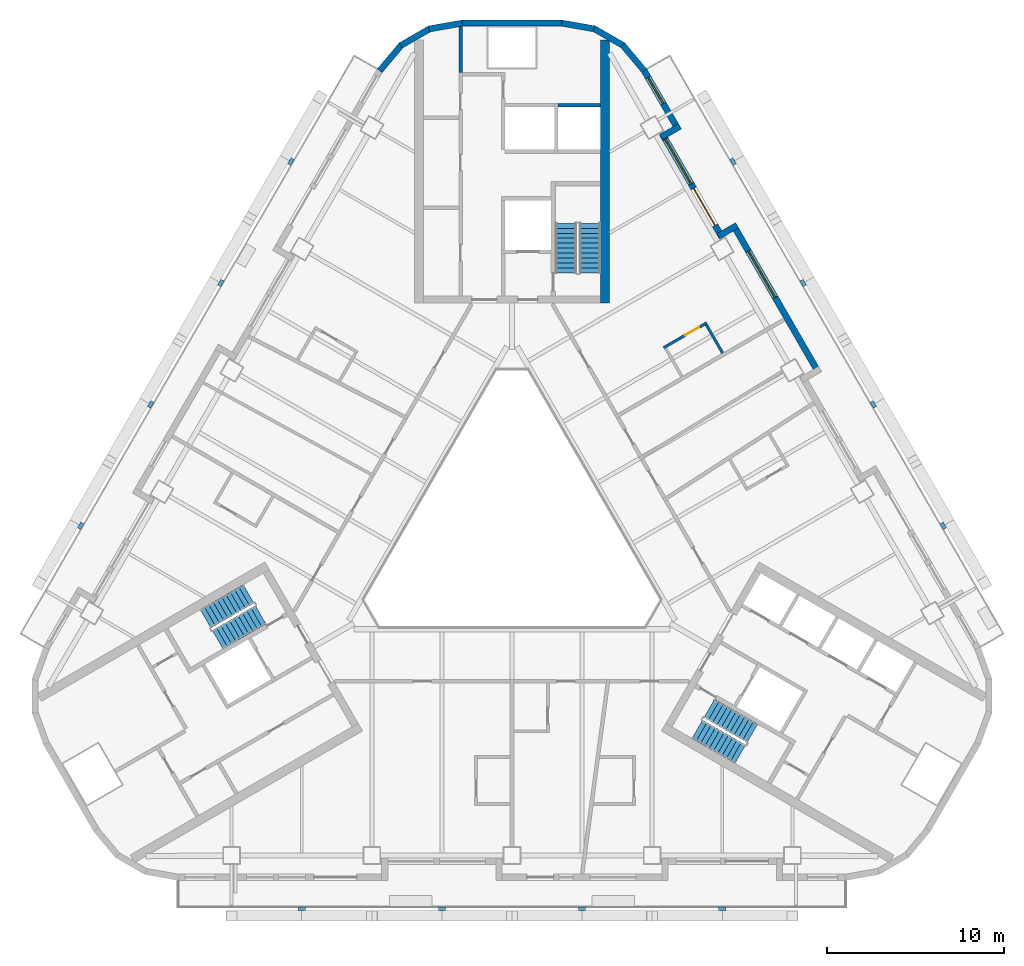
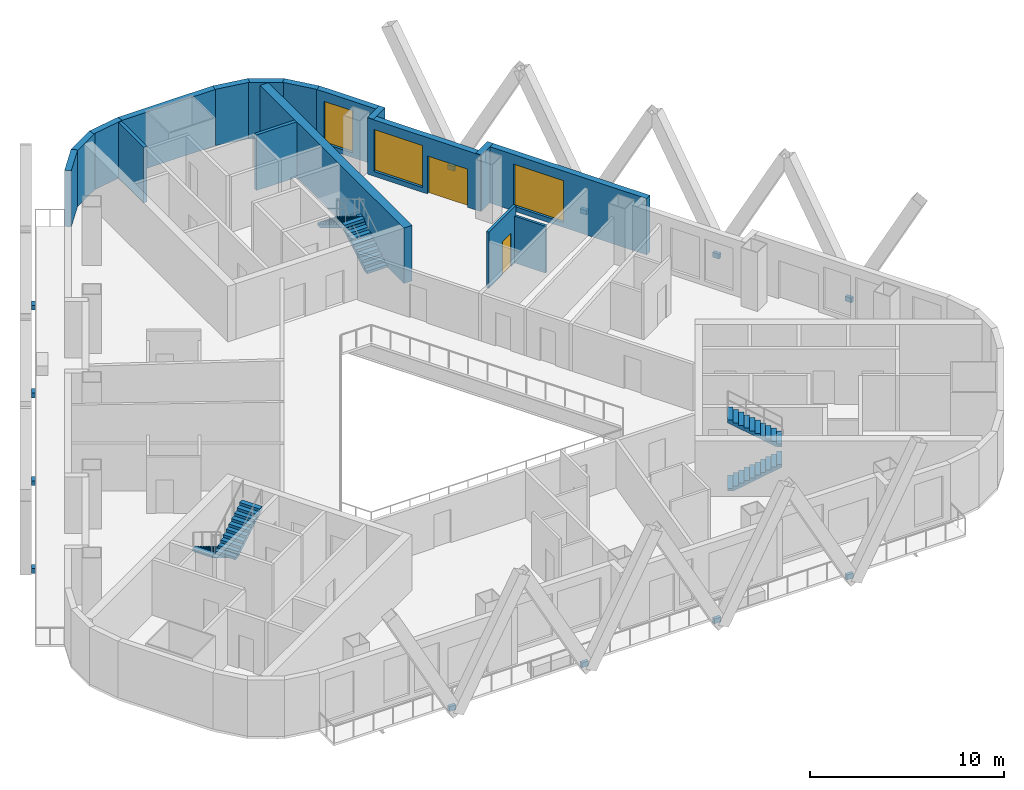
# One storey, part 7 of 13: 17 walls, 12 discrete accessories, 6 stair flights, 3 windows, 2 doors, 5 openings, 3 elements without a shape of their own.
"""IFC4 building model written with IfcOpenShell, lengths in metres."""

from ifc_helpers import new_model, si_unit, direction, frame, frame_2d, origin, origin_2d, place, context, subcontext, project, spatial, polyline, rectangle, outline, extrude, material, layer, layer_set, type_object, element, fill, aggregate, save


model = new_model("IFC4")

# Units and contexts
model_context = context("Model", 3, precision=1e-05, world=origin(), true_north=direction((0.0, 1.0)))
body_context = subcontext(model_context, "Body", "Model", "MODEL_VIEW")
ifc_project = project(units=[si_unit("LENGTHUNIT", "METRE"), si_unit("AREAUNIT", "SQUARE_METRE"), si_unit("VOLUMEUNIT", "CUBIC_METRE"), si_unit("PLANEANGLEUNIT", "RADIAN"), si_unit("MASSUNIT", "GRAM", prefix="KILO")], contexts=[model_context])

# Site, building, storey
site_placement = place(None, origin())
site = spatial("IfcSite", under=ifc_project, at=site_placement, CompositionType="ELEMENT")
building_placement = place(site_placement, origin())
building = spatial("IfcBuilding", under=site, at=building_placement, Name="Apuvela Tower Hotel", CompositionType="ELEMENT")
storey_placement = place(building_placement, frame((0.0, 0.0, 68.699951171875)))
storey = spatial("IfcBuildingStorey", under=building, at=storey_placement, Name="L14", CompositionType="ELEMENT", Elevation=68.699951171875)

# Walls
ifc_material_1 = material(Name="Concrete C50/60", Category="concrete")
ifc_layer_1 = layer(ifc_material_1, 0.5)
ifc_layer_set_1 = layer_set([ifc_layer_1], Name="COR-WALL-CORE-500")
wall_type_1 = type_object("IfcWallType", Name="COR-WALL-CORE-500", PredefinedType="SHEAR", material=ifc_layer_set_1)
wall_1_placement = place(storey_placement, frame((5.25, 12.89990234375, 0.0), z_axis=(0.0, 0.0, 1.0), x_axis=(0.0, 1.0, 0.0)))
element("IfcWall", 1, at=wall_1_placement, inside=storey, type_object=wall_type_1, Name="Core wall N", PredefinedType="SHEAR", context=body_context, shape_type="SweptSolid", body=[
    extrude(rectangle(XDim=14.8369140625, YDim=0.5, at=frame_2d((7.41845703125, 0.0))), origin(), (0.0, 0.0, 1.0), 3.5),
])
ifc_layer_2 = layer(ifc_material_1, 0.199951171875)
ifc_layer_set_2 = layer_set([ifc_layer_2], Name="COR-WALL-SHAFT-200")
wall_type_2 = type_object("IfcWallType", Name="COR-WALL-SHAFT-200", PredefinedType="SHEAR", material=ifc_layer_set_2)
wall_2_placement = place(storey_placement, frame((-2.89990234375, 25.89990234375, 0.0), z_axis=(0.0, 0.0, 1.0), x_axis=(0.0, 1.0, 0.0)))
element("IfcWall", 2, at=wall_2_placement, inside=storey, type_object=wall_type_2, Name="Shaft wall N", PredefinedType="SHEAR", context=body_context, shape_type="SweptSolid", body=[
    extrude(rectangle(XDim=2.60009765625, YDim=0.199951171875, at=frame_2d((1.300048828125, 0.0))), origin(), (0.0, 0.0, 1.0), 3.5),
])
wall_3_placement = place(storey_placement, frame((5.0, 24.050048828125, 0.0), z_axis=(0.0, 0.0, 1.0), x_axis=(-1.0, 0.0, 0.0)))
element("IfcWall", 3, at=wall_3_placement, inside=storey, type_object=wall_type_2, Name="Shaft wall N", PredefinedType="SHEAR", context=body_context, shape_type="SweptSolid", body=[
    extrude(rectangle(XDim=2.39990234375, YDim=0.199951171875, at=frame_2d((1.199951171875, 0.0))), origin(), (0.0, 0.0, 1.0), 3.5),
])

# Wall, opening, window
ifc_material_2 = material(Name="Concrete C40/50, dark pigmented precast panel", Category="concrete")
ifc_layer_3 = layer(ifc_material_2, 0.35009765625)
ifc_layer_set_3 = layer_set([ifc_layer_3], Name="ENV-WALL-350")
wall_type_3 = type_object("IfcWallType", Name="ENV-WALL-350", PredefinedType="SOLIDWALL", material=ifc_layer_set_3)
wall_4_placement = place(storey_placement, frame((17.298583984375, 8.947998046875, 0.0), z_axis=(0.0, 0.0, 1.0), x_axis=(-0.500010041276, 0.866019606374, 0.0)))
wall_4 = element("IfcWall", 4, at=wall_4_placement, inside=storey, type_object=wall_type_3, Name="External wall L14-37", PredefinedType="SOLIDWALL", context=body_context, shape_type="SweptSolid", body=[
    extrude(rectangle(XDim=9.699951171875, YDim=0.35009765625, at=frame_2d((4.85009765625, 0.0))), origin(), (0.0, 0.0, 1.0), 3.550048828125),
])
opening_1_placement = place(wall_4_placement, frame((4.94921875, 0.0, 0.300048828125)))
opening_1 = element("IfcOpeningElement", 5, at=opening_1_placement, cuts=wall_4, Name="Opening WN30", PredefinedType="OPENING", context=body_context, shape_type="SweptSolid", body=[
    extrude(rectangle(XDim=3.0, YDim=2.64990234375, at=frame_2d((1.5, 1.324951171875))), frame((0.0, 0.18505859375, 0.0), z_axis=(0.0, -1.0, 0.0), x_axis=(1.0, 0.0, 0.0)), (0.0, 0.0, 1.0), 0.3701171875),
])
ifc_material_3 = material(Name="Glass, dark tinted laminated insulated glazing unit", Category="glass")
window_type_1 = type_object("IfcWindowType", Name="ENV-WIN-3000x2650", PartitioningType="SINGLE_PANEL", PredefinedType="WINDOW", material=ifc_material_3)
window_1_placement = place(opening_1_placement, origin())
window_1 = element("IfcWindow", 6, at=window_1_placement, inside=storey, type_object=window_type_1, Name="Window WN30", OverallHeight=2.64990234375, OverallWidth=3.0, PartitioningType="SINGLE_PANEL", PredefinedType="WINDOW", context=body_context, shape_type="SweptSolid", body=[
    extrude(rectangle(XDim=3.0, YDim=2.64990234375, at=frame_2d((1.5, 1.324951171875))), frame((0.0, 0.030029296875, 0.0), z_axis=(0.0, -1.0, 0.0), x_axis=(1.0, 0.0, 0.0)), (0.0, 0.0, 1.0), 0.06005859375),
])
fill(opening_1, window_1)

# Wall
wall_5_placement = place(storey_placement, frame((12.6875, 17.284423828125, 0.0), z_axis=(0.0, 0.0, 1.0), x_axis=(-0.865955602162, -0.500120880472, 0.0)))
element("IfcWall", 7, at=wall_5_placement, inside=storey, type_object=wall_type_3, Name="External wall L14-38", PredefinedType="SOLIDWALL", context=body_context, shape_type="SweptSolid", body=[
    extrude(rectangle(XDim=1.219970703125, YDim=0.35009765625, at=frame_2d((0.60986328125, 0.0))), origin(), (0.0, 0.0, 1.0), 3.550048828125),
])

# Wall, openings, door, window
wall_6_placement = place(storey_placement, frame((11.8291015625, 16.621337890625, 0.0), z_axis=(0.0, 0.0, 1.0), x_axis=(-0.500003597184, 0.866023326939, 0.0)))
wall_6 = element("IfcWall", 8, at=wall_6_placement, inside=storey, type_object=wall_type_3, Name="External wall L14-39", PredefinedType="SOLIDWALL", context=body_context, shape_type="SweptSolid", body=[
    extrude(rectangle(XDim=6.740234375, YDim=0.35009765625, at=frame_2d((3.3701171875, 0.0))), origin(), (0.0, 0.0, 1.0), 3.550048828125),
])
opening_2_placement = place(wall_6_placement, frame((0.77001953125, 0.0, 0.0)))
opening_2 = element("IfcOpeningElement", 9, at=opening_2_placement, cuts=wall_6, Name="Opening BD24", PredefinedType="OPENING", context=body_context, shape_type="SweptSolid", body=[
    extrude(rectangle(XDim=2.39990234375, YDim=2.39990234375, at=frame_2d((1.199951171875, 1.199951171875))), frame((0.0, 0.18505859375, 0.0), z_axis=(0.0, -1.0, 0.0), x_axis=(1.0, 0.0, 0.0)), (0.0, 0.0, 1.0), 0.3701171875),
])
opening_3_placement = place(wall_6_placement, frame((3.469970703125, 0.0, 0.300048828125)))
opening_3 = element("IfcOpeningElement", 10, at=opening_3_placement, cuts=wall_6, Name="Opening WN29", PredefinedType="OPENING", context=body_context, shape_type="SweptSolid", body=[
    extrude(rectangle(XDim=2.89990234375, YDim=2.64990234375, at=frame_2d((1.449951171875, 1.324951171875))), frame((0.0, 0.18505859375, 0.0), z_axis=(0.0, -1.0, 0.0), x_axis=(1.0, 0.0, 0.0)), (0.0, 0.0, 1.0), 0.3701171875),
])
ifc_material_4 = material(Name="Aluminium 6063-T6, dark bronze anodised frame with dark tinted laminated glass", Category="aluminium")
door_type_1 = type_object("IfcDoorType", Name="ENV-DOOR-BALCONY-2400x2400", OperationType="SLIDING_TO_LEFT", PredefinedType="DOOR", material=ifc_material_4)
door_1_placement = place(opening_2_placement, frame((2.39990234375, 0.0, 0.0), z_axis=(0.0, 0.0, 1.0), x_axis=(-1.0, 0.0, 0.0)))
door_1 = element("IfcDoor", 11, at=door_1_placement, inside=storey, type_object=door_type_1, Name="Balcony door BD24", OperationType="SLIDING_TO_LEFT", OverallHeight=2.39990234375, OverallWidth=2.39990234375, PredefinedType="DOOR", context=body_context, shape_type="SweptSolid", body=[
    extrude(rectangle(XDim=2.39990234375, YDim=2.39990234375, at=frame_2d((1.199951171875, 1.199951171875))), frame((0.0, 0.02490234375, 0.0), z_axis=(0.0, -1.0, 0.0), x_axis=(1.0, 0.0, 0.0)), (0.0, 0.0, 1.0), 0.050048828125),
])
fill(opening_2, door_1)
window_type_2 = type_object("IfcWindowType", Name="ENV-WIN-2900x2650", PartitioningType="SINGLE_PANEL", PredefinedType="WINDOW", material=ifc_material_3)
window_2_placement = place(opening_3_placement, origin())
window_2 = element("IfcWindow", 12, at=window_2_placement, inside=storey, type_object=window_type_2, Name="Window WN29", OverallHeight=2.64990234375, OverallWidth=2.89990234375, PartitioningType="SINGLE_PANEL", PredefinedType="WINDOW", context=body_context, shape_type="SweptSolid", body=[
    extrude(rectangle(XDim=2.89990234375, YDim=2.64990234375, at=frame_2d((1.449951171875, 1.324951171875))), frame((0.0, 0.030029296875, 0.0), z_axis=(0.0, -1.0, 0.0), x_axis=(1.0, 0.0, 0.0)), (0.0, 0.0, 1.0), 0.06005859375),
])
fill(opening_3, window_2)

# Wall
wall_7_placement = place(storey_placement, frame((8.406005859375, 22.26025390625, 0.0), z_axis=(0.0, 0.0, 1.0), x_axis=(0.865955602162, 0.500120880472, 0.0)))
element("IfcWall", 13, at=wall_7_placement, inside=storey, type_object=wall_type_3, Name="External wall L14-40", PredefinedType="SOLIDWALL", context=body_context, shape_type="SweptSolid", body=[
    extrude(rectangle(XDim=1.219970703125, YDim=0.35009765625, at=frame_2d((0.60986328125, 0.0))), origin(), (0.0, 0.0, 1.0), 3.550048828125),
])

# Wall, opening, window
wall_8_placement = place(storey_placement, frame((9.3984375, 22.631103515625, 0.0), z_axis=(0.0, 0.0, 1.0), x_axis=(-0.499954521343, 0.866051659307, 0.0)))
wall_8 = element("IfcWall", 14, at=wall_8_placement, inside=storey, type_object=wall_type_3, Name="External wall L14-41", PredefinedType="SOLIDWALL", context=body_context, shape_type="SweptSolid", body=[
    extrude(rectangle(XDim=3.915771484375, YDim=0.35009765625, at=frame_2d((1.9580078125, 0.0))), origin(), (0.0, 0.0, 1.0), 3.550048828125),
])
opening_4_placement = place(wall_8_placement, frame((1.749755859375, 0.0, 0.300048828125)))
opening_4 = element("IfcOpeningElement", 15, at=opening_4_placement, cuts=wall_8, Name="Opening WN17", PredefinedType="OPENING", context=body_context, shape_type="SweptSolid", body=[
    extrude(rectangle(XDim=1.699951171875, YDim=2.64990234375, at=frame_2d((0.85009765625, 1.324951171875))), frame((0.0, 0.18505859375, 0.0), z_axis=(0.0, -1.0, 0.0), x_axis=(1.0, 0.0, 0.0)), (0.0, 0.0, 1.0), 0.3701171875),
])
window_type_3 = type_object("IfcWindowType", Name="ENV-WIN-1700x2650", PartitioningType="SINGLE_PANEL", PredefinedType="WINDOW", material=ifc_material_3)
window_3_placement = place(opening_4_placement, origin())
window_3 = element("IfcWindow", 16, at=window_3_placement, inside=storey, type_object=window_type_3, Name="Window WN17", OverallHeight=2.64990234375, OverallWidth=1.699951171875, PartitioningType="SINGLE_PANEL", PredefinedType="WINDOW", context=body_context, shape_type="SweptSolid", body=[
    extrude(rectangle(XDim=1.699951171875, YDim=2.64990234375, at=frame_2d((0.85009765625, 1.324951171875))), frame((0.0, 0.030029296875, 0.0), z_axis=(0.0, -1.0, 0.0), x_axis=(1.0, 0.0, 0.0)), (0.0, 0.0, 1.0), 0.06005859375),
])
fill(opening_4, window_3)

# Walls
wall_9_placement = place(storey_placement, frame((7.4580078125, 25.99755859375, 0.0), z_axis=(0.0, 0.0, 1.0), x_axis=(-0.642808304945, 0.766027077259, 0.0)))
element("IfcWall", 17, at=wall_9_placement, inside=storey, type_object=wall_type_3, Name="External wall L14-42", PredefinedType="SOLIDWALL", context=body_context, shape_type="SweptSolid", body=[
    extrude(rectangle(XDim=1.909912109375, YDim=0.35009765625, at=frame_2d((0.955078125, 0.0))), origin(), (0.0, 0.0, 1.0), 3.550048828125),
])
for number, where, z_axis, x_axis, name in (
    (18, (6.27685546875, 27.421630859375, 0.0), (0.0, 0.0, 1.0), (-0.866032345022, 0.499987977232, 0.0), "External wall L14-43"),
    (19, (4.6796875, 28.35595703125, 0.0), (0.0, 0.0, 1.0), (-0.984798995425, 0.173697837091, 0.0), "External wall L14-44"),
):
    element("IfcWall", number, at=place(storey_placement, frame(where, z_axis=z_axis, x_axis=x_axis)), inside=storey, type_object=wall_type_3, Name=name, PredefinedType="SOLIDWALL", context=body_context, shape_type="SweptSolid", body=[
        extrude(rectangle(XDim=1.91015625, YDim=0.35009765625, at=frame_2d((0.955078125, 0.0))), origin(), (0.0, 0.0, 1.0), 3.550048828125),
    ])
wall_10_placement = place(storey_placement, frame((2.8291015625, 28.68505859375, 0.0), z_axis=(0.0, 0.0, 1.0), x_axis=(-1.0, 0.0, 0.0)))
element("IfcWall", 20, at=wall_10_placement, inside=storey, type_object=wall_type_3, Name="External wall L14-45", PredefinedType="SOLIDWALL", context=body_context, shape_type="SweptSolid", body=[
    extrude(rectangle(XDim=5.658203125, YDim=0.35009765625, at=frame_2d((2.8291015625, 0.0))), origin(), (0.0, 0.0, 1.0), 3.550048828125),
])
for number, where, z_axis, x_axis, name in (
    (21, (-2.798583984375, 28.687744140625, 0.0), (0.0, 0.0, 1.0), (-0.984798995425, -0.173697837091, 0.0), "External wall L14-46"),
    (22, (-4.62255859375, 28.376708984375, 0.0), (0.0, 0.0, 1.0), (-0.866032345022, -0.499987977232, 0.0), "External wall L14-47"),
):
    element("IfcWall", number, at=place(storey_placement, frame(where, z_axis=z_axis, x_axis=x_axis)), inside=storey, type_object=wall_type_3, Name=name, PredefinedType="SOLIDWALL", context=body_context, shape_type="SweptSolid", body=[
        extrude(rectangle(XDim=1.91015625, YDim=0.35009765625, at=frame_2d((0.955078125, 0.0))), origin(), (0.0, 0.0, 1.0), 3.550048828125),
    ])
wall_11_placement = place(storey_placement, frame((-6.230224609375, 27.460693359375, 0.0), z_axis=(0.0, 0.0, 1.0), x_axis=(-0.642808304945, -0.766027077259, 0.0)))
element("IfcWall", 23, at=wall_11_placement, inside=storey, type_object=wall_type_3, Name="External wall L14-48", PredefinedType="SOLIDWALL", context=body_context, shape_type="SweptSolid", body=[
    extrude(rectangle(XDim=1.909912109375, YDim=0.35009765625, at=frame_2d((0.955078125, 0.0))), origin(), (0.0, 0.0, 1.0), 3.550048828125),
])

# Wall, opening, door
ifc_material_5 = material(Name="Moisture-resistant gypsum board wet wall on steel stud", Category="steel")
ifc_layer_4 = layer(ifc_material_5, 0.14990234375)
ifc_layer_set_4 = layer_set([ifc_layer_4], Name="GST-PW3")
wall_type_4 = type_object("IfcWallType", Name="GST-PW3", PredefinedType="PARTITIONING", material=ifc_layer_set_4)
wall_12_placement = place(storey_placement, frame((10.974365234375, 11.7919921875, 0.0), z_axis=(0.0, 0.0, 1.0), x_axis=(-0.866056369097, -0.49994636267, 0.0)))
wall_12 = element("IfcWall", 24, at=wall_12_placement, inside=storey, type_object=wall_type_4, Name="L14 partition 26", PredefinedType="PARTITIONING", context=body_context, shape_type="SweptSolid", body=[
    extrude(rectangle(XDim=2.800048828125, YDim=0.14990234375, at=frame_2d((1.39990234375, 0.0))), origin(), (0.0, 0.0, 1.0), 3.550048828125),
])
opening_5_placement = place(wall_12_placement, frame((0.5, 0.0, 0.0)))
opening_5 = element("IfcOpeningElement", 25, at=opening_5_placement, cuts=wall_12, Name="Opening GD03-11", PredefinedType="OPENING", context=body_context, shape_type="SweptSolid", body=[
    extrude(rectangle(XDim=0.89990234375, YDim=2.10009765625, at=frame_2d((0.449951171875, 1.050048828125))), frame((0.0, 0.0849609375, 0.0), z_axis=(0.0, -1.0, 0.0), x_axis=(1.0, 0.0, 0.0)), (0.0, 0.0, 1.0), 0.169921875),
])
ifc_material_6 = material(Name="Timber door leaf in steel frame", Category="steel")
door_type_2 = type_object("IfcDoorType", Name="GST-D2", OperationType="NOTDEFINED", PredefinedType="DOOR", material=ifc_material_6)
door_2_placement = place(opening_5_placement, origin())
door_2 = element("IfcDoor", 26, at=door_2_placement, inside=storey, type_object=door_type_2, Name="Door L14-11", OperationType="SINGLE_SWING_LEFT", OverallHeight=2.10009765625, OverallWidth=0.89990234375, PredefinedType="DOOR", context=body_context, shape_type="SweptSolid", body=[
    extrude(rectangle(XDim=0.89990234375, YDim=2.10009765625, at=frame_2d((0.449951171875, 1.050048828125))), frame((0.0, 0.02490234375, 0.0), z_axis=(0.0, -1.0, 0.0), x_axis=(1.0, 0.0, 0.0)), (0.0, 0.0, 1.0), 0.050048828125),
])
fill(opening_5, door_2)

# Wall
wall_13_placement = place(storey_placement, frame((11.871826171875, 10.08740234375, 0.0), z_axis=(0.0, 0.0, 1.0), x_axis=(-0.500042316284, 0.866000971088, 0.0)))
element("IfcWall", 27, at=wall_13_placement, inside=storey, type_object=wall_type_4, Name="L14 partition 27", PredefinedType="PARTITIONING", context=body_context, shape_type="SweptSolid", body=[
    extrude(rectangle(XDim=1.849853515625, YDim=0.14990234375, at=frame_2d((0.9248046875, 0.0))), origin(), (0.0, 0.0, 1.0), 2.949951171875),
])

# Stair, stair flights
stair_type = type_object("IfcStairType", Name="COR-STAIR-22R", PredefinedType="HALF_TURN_STAIR", material=ifc_material_1)
stair_1_placement = place(storey_placement, origin())
stair_1 = element("IfcStair", 28, at=stair_1_placement, inside=storey, type_object=stair_type, Name="L14 Exit stair ST1", PredefinedType="HALF_TURN_STAIR")
stair_flight_type = type_object("IfcStairFlightType", Name="COR-FLIGHT-11R", PredefinedType="STRAIGHT", material=ifc_material_1)
stair_flight_1_placement = place(storey_placement, frame((4.39990234375, 14.60009765625, 0.0), z_axis=(0.0, 0.0, 1.0), x_axis=(0.0, 1.0, 0.0)))
stair_flight_1 = element("IfcStairFlight", 29, at=stair_flight_1_placement, type_object=stair_flight_type, Name="ST1 flight 1", NumberOfRisers=11, NumberOfTreads=10, PredefinedType="STRAIGHT", RiserHeight=0.168181818, TreadLength=0.28, context=body_context, shape_type="SweptSolid", body=[
    extrude(outline(polyline([(0.0, 0.0), (0.0, 0.168212890625), (0.280029296875, 0.168212890625), (0.280029296875, 0.33642578125), (0.56005859375, 0.33642578125), (0.56005859375, 0.504638671875), (0.840087890625, 0.504638671875), (0.840087890625, 0.672607421875), (1.1201171875, 0.672607421875), (1.1201171875, 0.8408203125), (1.39990234375, 0.8408203125), (1.39990234375, 1.009033203125), (1.679931640625, 1.009033203125), (1.679931640625, 1.17724609375), (1.9599609375, 1.17724609375), (1.9599609375, 1.345458984375), (2.239990234375, 1.345458984375), (2.239990234375, 1.513671875), (2.52001953125, 1.513671875), (2.52001953125, 1.681884765625), (2.800048828125, 1.681884765625), (2.800048828125, 1.85009765625), (2.800048828125, 1.5068359375), (0.291015625, 0.0), (0.0, 0.0)])), frame((0.0, 0.60009765625, 0.0), z_axis=(0.0, -1.0, 0.0), x_axis=(1.0, 0.0, 0.0)), (0.0, 0.0, 1.0), 1.199951171875),
])
stair_flight_2_placement = place(storey_placement, frame((3.050048828125, 17.39990234375, 1.85009765625), z_axis=(0.0, 0.0, 1.0), x_axis=(0.0, -1.0, 0.0)))
stair_flight_2 = element("IfcStairFlight", 30, at=stair_flight_2_placement, type_object=stair_flight_type, Name="ST1 flight 2", NumberOfRisers=11, NumberOfTreads=10, PredefinedType="STRAIGHT", RiserHeight=0.168181818, TreadLength=0.28, context=body_context, shape_type="SweptSolid", body=[
    extrude(outline(polyline([(0.0, 0.0), (0.0, 0.168212890625), (0.280029296875, 0.168212890625), (0.280029296875, 0.33642578125), (0.56005859375, 0.33642578125), (0.56005859375, 0.504638671875), (0.840087890625, 0.504638671875), (0.840087890625, 0.672607421875), (1.1201171875, 0.672607421875), (1.1201171875, 0.8408203125), (1.39990234375, 0.8408203125), (1.39990234375, 1.009033203125), (1.679931640625, 1.009033203125), (1.679931640625, 1.17724609375), (1.9599609375, 1.17724609375), (1.9599609375, 1.345458984375), (2.239990234375, 1.345458984375), (2.239990234375, 1.513671875), (2.52001953125, 1.513671875), (2.52001953125, 1.681884765625), (2.800048828125, 1.681884765625), (2.800048828125, 1.85009765625), (2.800048828125, 1.5068359375), (0.291015625, 0.0), (0.0, 0.0)])), frame((0.0, 0.60009765625, 0.0), z_axis=(0.0, -1.0, 0.0), x_axis=(1.0, 0.0, 0.0)), (0.0, 0.0, 1.0), 1.199951171875),
])
aggregate(stair_1, [stair_flight_1, stair_flight_2])

stair_2_placement = place(storey_placement, origin())
stair_2 = element("IfcStair", 31, at=stair_2_placement, inside=storey, type_object=stair_type, Name="L14 Exit stair ST2", PredefinedType="HALF_TURN_STAIR")
stair_flight_3_placement = place(storey_placement, frame((-14.843994140625, -3.489501953125, 0.0), z_axis=(0.0, 0.0, 1.0), x_axis=(-0.866025403784, -0.5, 0.0)))
stair_flight_3 = element("IfcStairFlight", 32, at=stair_flight_3_placement, type_object=stair_flight_type, Name="ST2 flight 1", NumberOfRisers=11, NumberOfTreads=10, PredefinedType="STRAIGHT", RiserHeight=0.168181818, TreadLength=0.28, context=body_context, shape_type="SweptSolid", body=[
    extrude(outline(polyline([(0.0, 0.0), (0.0, 0.168212890625), (0.280029296875, 0.168212890625), (0.280029296875, 0.33642578125), (0.56005859375, 0.33642578125), (0.56005859375, 0.504638671875), (0.840087890625, 0.504638671875), (0.840087890625, 0.672607421875), (1.1201171875, 0.672607421875), (1.1201171875, 0.8408203125), (1.39990234375, 0.8408203125), (1.39990234375, 1.009033203125), (1.679931640625, 1.009033203125), (1.679931640625, 1.17724609375), (1.9599609375, 1.17724609375), (1.9599609375, 1.345458984375), (2.239990234375, 1.345458984375), (2.239990234375, 1.513671875), (2.52001953125, 1.513671875), (2.52001953125, 1.681884765625), (2.800048828125, 1.681884765625), (2.800048828125, 1.85009765625), (2.800048828125, 1.5068359375), (0.291015625, 0.0), (0.0, 0.0)])), frame((0.0, 0.60009765625, 0.0), z_axis=(0.0, -1.0, 0.0), x_axis=(1.0, 0.0, 0.0)), (0.0, 0.0, 1.0), 1.199951171875),
])
stair_flight_4_placement = place(storey_placement, frame((-16.59375, -6.05859375, 1.85009765625), z_axis=(0.0, 0.0, 1.0), x_axis=(0.866025403784, 0.5, 0.0)))
stair_flight_4 = element("IfcStairFlight", 33, at=stair_flight_4_placement, type_object=stair_flight_type, Name="ST2 flight 2", NumberOfRisers=11, NumberOfTreads=10, PredefinedType="STRAIGHT", RiserHeight=0.168181818, TreadLength=0.28, context=body_context, shape_type="SweptSolid", body=[
    extrude(outline(polyline([(0.0, 0.0), (0.0, 0.168212890625), (0.280029296875, 0.168212890625), (0.280029296875, 0.33642578125), (0.56005859375, 0.33642578125), (0.56005859375, 0.504638671875), (0.840087890625, 0.504638671875), (0.840087890625, 0.672607421875), (1.1201171875, 0.672607421875), (1.1201171875, 0.8408203125), (1.39990234375, 0.8408203125), (1.39990234375, 1.009033203125), (1.679931640625, 1.009033203125), (1.679931640625, 1.17724609375), (1.9599609375, 1.17724609375), (1.9599609375, 1.345458984375), (2.239990234375, 1.345458984375), (2.239990234375, 1.513671875), (2.52001953125, 1.513671875), (2.52001953125, 1.681884765625), (2.800048828125, 1.681884765625), (2.800048828125, 1.85009765625), (2.800048828125, 1.5068359375), (0.291015625, 0.0), (0.0, 0.0)])), frame((0.0, 0.60009765625, 0.0), z_axis=(0.0, -1.0, 0.0), x_axis=(1.0, 0.0, 0.0)), (0.0, 0.0, 1.0), 1.199951171875),
])
aggregate(stair_2, [stair_flight_3, stair_flight_4])

stair_3_placement = place(storey_placement, origin())
stair_3 = element("IfcStair", 34, at=stair_3_placement, inside=storey, type_object=stair_type, Name="L14 Exit stair ST3", PredefinedType="HALF_TURN_STAIR")
stair_flight_5_placement = place(storey_placement, frame((10.444091796875, -11.110595703125, 0.0), z_axis=(0.0, 0.0, 1.0), x_axis=(0.866025403784, -0.5, 0.0)))
stair_flight_5 = element("IfcStairFlight", 35, at=stair_flight_5_placement, type_object=stair_flight_type, Name="ST3 flight 1", NumberOfRisers=11, NumberOfTreads=10, PredefinedType="STRAIGHT", RiserHeight=0.168181818, TreadLength=0.28, context=body_context, shape_type="SweptSolid", body=[
    extrude(outline(polyline([(0.0, 0.0), (0.0, 0.168212890625), (0.280029296875, 0.168212890625), (0.280029296875, 0.33642578125), (0.56005859375, 0.33642578125), (0.56005859375, 0.504638671875), (0.840087890625, 0.504638671875), (0.840087890625, 0.672607421875), (1.1201171875, 0.672607421875), (1.1201171875, 0.8408203125), (1.39990234375, 0.8408203125), (1.39990234375, 1.009033203125), (1.679931640625, 1.009033203125), (1.679931640625, 1.17724609375), (1.9599609375, 1.17724609375), (1.9599609375, 1.345458984375), (2.239990234375, 1.345458984375), (2.239990234375, 1.513671875), (2.52001953125, 1.513671875), (2.52001953125, 1.681884765625), (2.800048828125, 1.681884765625), (2.800048828125, 1.85009765625), (2.800048828125, 1.5068359375), (0.291015625, 0.0), (0.0, 0.0)])), frame((0.0, 0.60009765625, 0.0), z_axis=(0.0, -1.0, 0.0), x_axis=(1.0, 0.0, 0.0)), (0.0, 0.0, 1.0), 1.199951171875),
])
stair_flight_6_placement = place(storey_placement, frame((13.5439453125, -11.34130859375, 1.85009765625), z_axis=(0.0, 0.0, 1.0), x_axis=(-0.866025403784, 0.5, 0.0)))
stair_flight_6 = element("IfcStairFlight", 36, at=stair_flight_6_placement, type_object=stair_flight_type, Name="ST3 flight 2", NumberOfRisers=11, NumberOfTreads=10, PredefinedType="STRAIGHT", RiserHeight=0.168181818, TreadLength=0.28, context=body_context, shape_type="SweptSolid", body=[
    extrude(outline(polyline([(0.0, 0.0), (0.0, 0.168212890625), (0.280029296875, 0.168212890625), (0.280029296875, 0.33642578125), (0.56005859375, 0.33642578125), (0.56005859375, 0.504638671875), (0.840087890625, 0.504638671875), (0.840087890625, 0.672607421875), (1.1201171875, 0.672607421875), (1.1201171875, 0.8408203125), (1.39990234375, 0.8408203125), (1.39990234375, 1.009033203125), (1.679931640625, 1.009033203125), (1.679931640625, 1.17724609375), (1.9599609375, 1.17724609375), (1.9599609375, 1.345458984375), (2.239990234375, 1.345458984375), (2.239990234375, 1.513671875), (2.52001953125, 1.513671875), (2.52001953125, 1.681884765625), (2.800048828125, 1.681884765625), (2.800048828125, 1.85009765625), (2.800048828125, 1.5068359375), (0.291015625, 0.0), (0.0, 0.0)])), frame((0.0, 0.60009765625, 0.0), z_axis=(0.0, -1.0, 0.0), x_axis=(1.0, 0.0, 0.0)), (0.0, 0.0, 1.0), 1.199951171875),
])
aggregate(stair_3, [stair_flight_5, stair_flight_6])

# Discrete accessories
ifc_material_7 = material(Name="Steel S355, black paint system", Category="steel")
discrete_accessory_type = type_object("IfcDiscreteAccessoryType", Name="ENV-FIN-BRACKET", PredefinedType="BRACKET", material=ifc_material_7)
for number, where, z_axis, x_axis, name in (
    (37, (24.310791015625, 0.3525390625, -0.25), (0.0, 0.0, 1.0), (-0.5, 0.866025403784, 0.0), "Fin bracket NE15"),
    (38, (20.360595703125, 7.194091796875, -0.25), (0.0, 0.0, 1.0), (-0.5, 0.866025403784, 0.0), "Fin bracket NE16"),
    (39, (16.41064453125, 14.035888671875, -0.25), (0.0, 0.0, 1.0), (-0.5, 0.866025403784, 0.0), "Fin bracket NE17"),
    (40, (12.460693359375, 20.87744140625, -0.25), (0.0, 0.0, 1.0), (-0.5, 0.866025403784, 0.0), "Fin bracket NE18"),
    (41, (-12.460693359375, 20.87744140625, -0.25), (0.0, 0.0, 1.0), (-0.5, -0.866025403784, 0.0), "Fin bracket NW164"),
    (42, (-16.41064453125, 14.035888671875, -0.25), (0.0, 0.0, 1.0), (-0.5, -0.866025403784, 0.0), "Fin bracket NW165"),
    (43, (-20.360595703125, 7.194091796875, -0.25), (0.0, 0.0, 1.0), (-0.5, -0.866025403784, 0.0), "Fin bracket NW166"),
    (44, (-24.310791015625, 0.3525390625, -0.25), (0.0, 0.0, 1.0), (-0.5, -0.866025403784, 0.0), "Fin bracket NW167"),
    (45, (-11.85009765625, -21.22998046875, -0.25), (0.0, 0.0, 1.0), (1.0, 0.0, 0.0), "Fin bracket S314"),
    (46, (-3.949951171875, -21.22998046875, -0.25), (0.0, 0.0, 1.0), (1.0, 0.0, 0.0), "Fin bracket S315"),
    (47, (3.949951171875, -21.22998046875, -0.25), (0.0, 0.0, 1.0), (1.0, 0.0, 0.0), "Fin bracket S316"),
    (48, (11.85009765625, -21.22998046875, -0.25), (0.0, 0.0, 1.0), (1.0, 0.0, 0.0), "Fin bracket S317"),
):
    element("IfcDiscreteAccessory", number, at=place(storey_placement, frame(where, z_axis=z_axis, x_axis=x_axis)), inside=storey, type_object=discrete_accessory_type, Name=name, PredefinedType="BRACKET", context=body_context, shape_type="SweptSolid", body=[
        extrude(rectangle(XDim=0.39990234375, YDim=0.199951171875, at=origin_2d()), origin(), (0.0, 0.0, 1.0), 0.300048828125),
    ])

save(model, "model.ifc")
